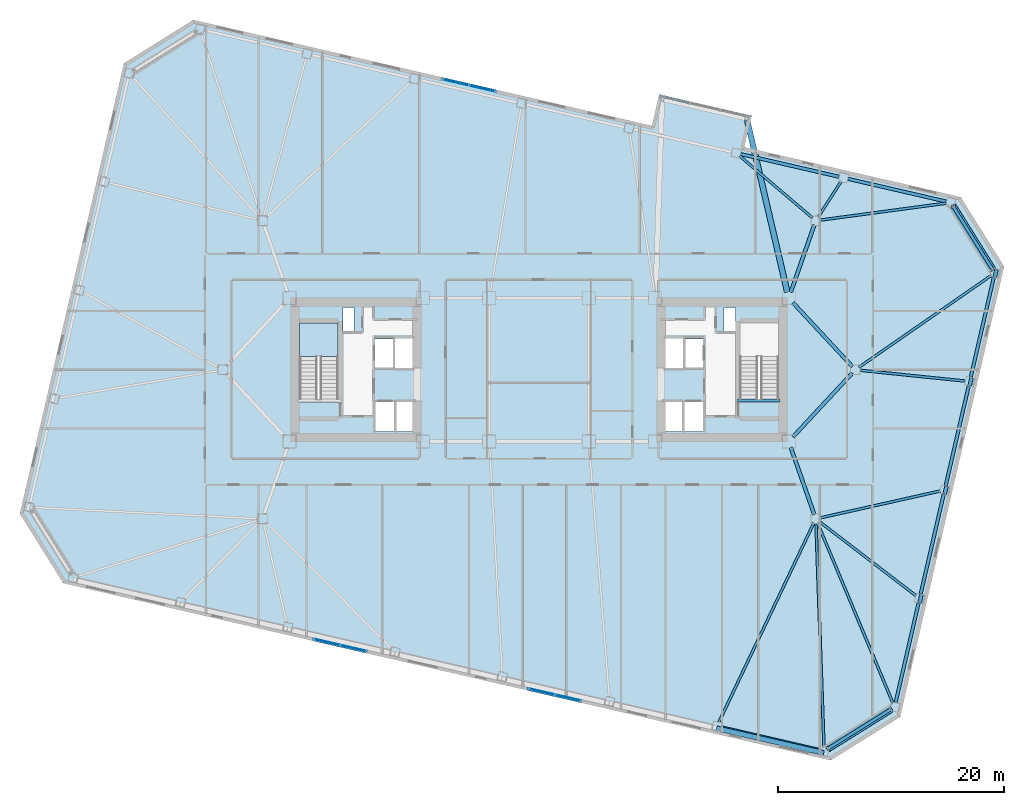
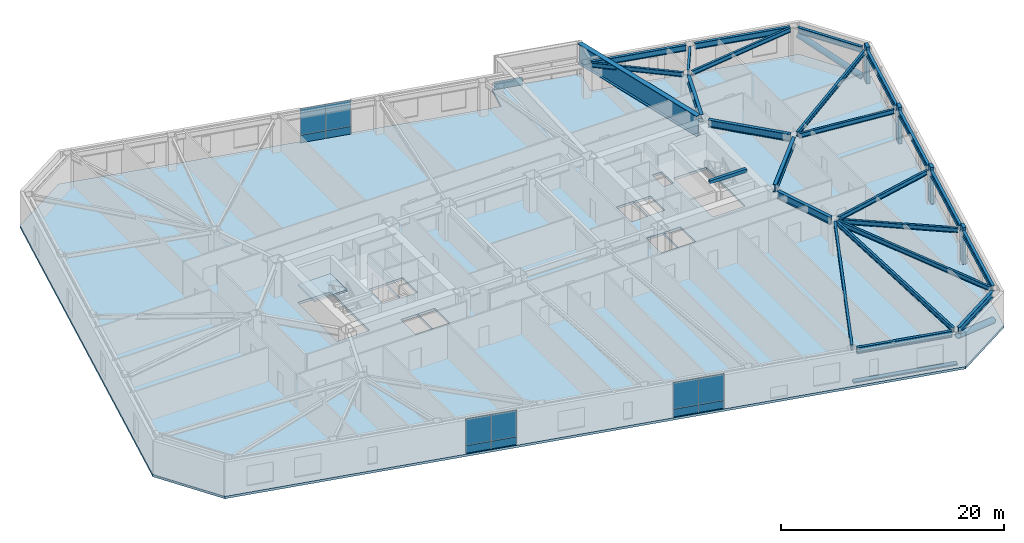
# One storey, part 11 of 23: 25 beams, 13 plates, 7 members, 2 slabs, 5 elements without a shape of their own.
"""IFC4 building model written with IfcOpenShell, lengths in metres."""

from ifc_helpers import new_model, si_unit, direction, frame, origin, origin_2d, place, context, subcontext, project, spatial, polyline, rectangle, hollow_circle, i_section, outline, extrude, material, layer, layer_set, material_profile, profile_set, type_object, element, aggregate, save


model = new_model("IFC4")

# Units and contexts
model_context = context("Model", 3, precision=1e-05, world=origin(), true_north=direction((0.0, 1.0)))
body_context = subcontext(model_context, "Body", "Model", "MODEL_VIEW")
ifc_project = project(units=[si_unit("LENGTHUNIT", "METRE"), si_unit("AREAUNIT", "SQUARE_METRE"), si_unit("VOLUMEUNIT", "CUBIC_METRE"), si_unit("PLANEANGLEUNIT", "RADIAN"), si_unit("MASSUNIT", "GRAM", prefix="KILO")], contexts=[model_context])

# Site, building, storey
site_placement = place(None, origin())
site = spatial("IfcSite", under=ifc_project, at=site_placement, CompositionType="ELEMENT")
building_placement = place(site_placement, origin())
building = spatial("IfcBuilding", under=site, at=building_placement, Name="Tavrogorsk Clinical Tower", CompositionType="ELEMENT")
storey_placement = place(building_placement, frame((0.0, 0.0, 63.39990234375)))
storey = spatial("IfcBuildingStorey", under=building, at=storey_placement, Name="L13", CompositionType="ELEMENT", Elevation=63.39990234375)

# Members
ifc_material_1 = material(Name="Anodised aluminium alloy AW-6063", Category="aluminium")
ifc_material_profile_1 = material_profile(ifc_material_1, rectangle(XDim=0.449951171875, YDim=0.1201171875, at=origin_2d()), Name="ALU-SUNSHADE-450x120")
ifc_profile_set_1 = profile_set([ifc_material_profile_1], Name="Anodised aluminium alloy AW-6063")
member_type_1 = type_object("IfcMemberType", Name="ChicagoSunshade_450x120", PredefinedType="USERDEFINED", material=ifc_profile_set_1)
member_placement = place(storey_placement, frame((15.700439453125, -31.739013671875, 0.18017578125), z_axis=(0.97437219846, -0.224941812182, 0.0), x_axis=(0.224941812182, 0.97437219846, 0.0)))
element("IfcMember", 1, at=member_placement, inside=storey, type_object=member_type_1, Name="L13 South Aluminium Sunshade S7", ObjectType="SUNSHADE", PredefinedType="USERDEFINED", context=body_context, shape_type="SweptSolid", body=[
    extrude(rectangle(XDim=0.449951171875, YDim=0.1201171875, at=origin_2d()), origin(), (0.0, 0.0, 1.0), 9.74853515625),
])
ifc_material_2 = material(Name="Structural steel S440", Category="steel")
ifc_material_profile_2 = material_profile(ifc_material_2, hollow_circle(Radius=0.304931640625, WallThickness=0.02490234375, at=origin_2d()), Name="CHS-610x25")
ifc_profile_set_2 = profile_set([ifc_material_profile_2], Name="Structural steel S440")
member_type_2 = type_object("IfcMemberType", Name="ExoBrace_CHS610", PredefinedType="BRACE", material=ifc_profile_set_2)
for number, where, z_axis, x_axis, name in (
    (2, (31.15185546875, -30.062255859375, 0.442626953125), (-0.794678685861, -0.496570017703, 0.349147538667), (0.529919005048, -0.848048258113, 0.0), "L13 Corner Exoskeleton Brace S8-E1"),
    (3, (40.145751953125, 8.893798828125, 0.442626953125), (-0.496596175948, 0.794664984625, 0.349141518935), (-0.848031606927, -0.529945651603, 0.0), "L13 Corner Exoskeleton Brace E5-N1"),
):
    element("IfcMember", number, at=place(storey_placement, frame(where, z_axis=z_axis, x_axis=x_axis)), inside=storey, type_object=member_type_2, Name=name, PredefinedType="BRACE", context=body_context, shape_type="SweptSolid", body=[
        extrude(hollow_circle(Radius=0.304931640625, WallThickness=0.02490234375, at=origin_2d()), origin(), (0.0, 0.0, 1.0), 7.03173828125),
    ])

# Beams
ifc_material_3 = material(Name="Structural steel S355", Category="steel")
ifc_material_profile_3 = material_profile(ifc_material_3, i_section(OverallWidth=0.219970703125, OverallDepth=0.5, WebThickness=0.012939453125, FlangeThickness=0.02001953125, at=origin_2d()), Name="B-500x220x13x20")
ifc_profile_set_3 = profile_set([ifc_material_profile_3], Name="Structural steel S355")
beam_type_1 = type_object("IfcBeamType", Name="FloorBeam_B500", PredefinedType="BEAM", material=ifc_profile_set_3)
beam_1_placement = place(storey_placement, frame((24.323486328125, -13.570068359375, 3.489990234375), z_axis=(-0.430503237889, -0.90258903282, 0.0), x_axis=(0.90258903282, -0.430503237889, 0.0)))
element("IfcBeam", 4, at=beam_1_placement, inside=storey, type_object=beam_type_1, Name="L13 Radial Floor Beam S7", PredefinedType="BEAM", context=body_context, shape_type="SweptSolid", body=[
    extrude(i_section(OverallWidth=0.219970703125, OverallDepth=0.5, WebThickness=0.012939453125, FlangeThickness=0.02001953125, at=origin_2d()), origin(), (0.0, 0.0, 1.0), 19.527587890625),
])
beam_2_placement = place(storey_placement, frame((24.5146484375, -13.609619140625, 3.489990234375), z_axis=(0.035968399295, -0.999352927775, 0.0), x_axis=(0.999352927775, 0.035968399295, 0.0)))
element("IfcBeam", 5, at=beam_2_placement, inside=storey, type_object=beam_type_1, Name="L13 Radial Floor Beam S8", PredefinedType="BEAM", context=body_context, shape_type="SweptSolid", body=[
    extrude(i_section(OverallWidth=0.219970703125, OverallDepth=0.5, WebThickness=0.012939453125, FlangeThickness=0.02001953125, at=origin_2d()), origin(), (0.0, 0.0, 1.0), 19.751953125),
])
beam_3_placement = place(storey_placement, frame((24.90625, 13.254638671875, 3.489990234375), z_axis=(0.991091561022, 0.133182272357, 0.0), x_axis=(-0.133182272357, 0.991091561022, 0.0)))
element("IfcBeam", 6, at=beam_3_placement, inside=storey, type_object=beam_type_1, Name="L13 Radial Floor Beam N1", PredefinedType="BEAM", context=body_context, shape_type="SweptSolid", body=[
    extrude(i_section(OverallWidth=0.219970703125, OverallDepth=0.5, WebThickness=0.012939453125, FlangeThickness=0.02001953125, at=origin_2d()), origin(), (0.0, 0.0, 1.0), 11.24072265625),
])
beam_4_placement = place(storey_placement, frame((24.722412109375, 13.54443359375, 3.489990234375), z_axis=(0.54237908978, 0.840133872052, 0.0), x_axis=(-0.840133872052, 0.54237908978, 0.0)))
element("IfcBeam", 7, at=beam_4_placement, inside=storey, type_object=beam_type_1, Name="L13 Radial Floor Beam N2", PredefinedType="BEAM", context=body_context, shape_type="SweptSolid", body=[
    extrude(i_section(OverallWidth=0.219970703125, OverallDepth=0.5, WebThickness=0.012939453125, FlangeThickness=0.02001953125, at=origin_2d()), origin(), (0.0, 0.0, 1.0), 3.70361328125),
])
beam_5_placement = place(storey_placement, frame((24.187744140625, 13.465576171875, 3.489990234375), z_axis=(-0.761805700094, 0.647805584496, 0.0), x_axis=(-0.647805584496, -0.761805700094, 0.0)))
element("IfcBeam", 8, at=beam_5_placement, inside=storey, type_object=beam_type_1, Name="L13 Radial Floor Beam N3", PredefinedType="BEAM", context=body_context, shape_type="SweptSolid", body=[
    extrude(i_section(OverallWidth=0.219970703125, OverallDepth=0.5, WebThickness=0.012939453125, FlangeThickness=0.02001953125, at=origin_2d()), origin(), (0.0, 0.0, 1.0), 8.431396484375),
])
beam_6_placement = place(storey_placement, frame((24.658447265625, -13.578125, 3.489990234375), z_axis=(0.386243430459, -0.922396884441, 0.0), x_axis=(0.922396884441, 0.386243430459, 0.0)))
element("IfcBeam", 9, at=beam_6_placement, inside=storey, type_object=beam_type_1, Name="L13 Radial Floor Beam E1", PredefinedType="BEAM", context=body_context, shape_type="SweptSolid", body=[
    extrude(i_section(OverallWidth=0.219970703125, OverallDepth=0.5, WebThickness=0.012939453125, FlangeThickness=0.02001953125, at=origin_2d()), origin(), (0.0, 0.0, 1.0), 17.243408203125),
])
beam_7_placement = place(storey_placement, frame((24.825439453125, -13.449462890625, 3.489990234375), z_axis=(0.7934457884, -0.608640929342, 0.0), x_axis=(0.608640929342, 0.7934457884, 0.0)))
element("IfcBeam", 10, at=beam_7_placement, inside=storey, type_object=beam_type_1, Name="L13 Radial Floor Beam E2", PredefinedType="BEAM", context=body_context, shape_type="SweptSolid", body=[
    extrude(i_section(OverallWidth=0.219970703125, OverallDepth=0.5, WebThickness=0.012939453125, FlangeThickness=0.02001953125, at=origin_2d()), origin(), (0.0, 0.0, 1.0), 10.769287109375),
])
beam_8_placement = place(storey_placement, frame((24.900146484375, -13.1103515625, 3.489990234375), z_axis=(0.975844140255, 0.218467878484, 0.0), x_axis=(-0.218467878484, 0.975844140255, 0.0)))
element("IfcBeam", 11, at=beam_8_placement, inside=storey, type_object=beam_type_1, Name="L13 Radial Floor Beam E3", PredefinedType="BEAM", context=body_context, shape_type="SweptSolid", body=[
    extrude(i_section(OverallWidth=0.219970703125, OverallDepth=0.5, WebThickness=0.012939453125, FlangeThickness=0.02001953125, at=origin_2d()), origin(), (0.0, 0.0, 1.0), 10.876708984375),
])
beam_9_placement = place(storey_placement, frame((28.407958984375, -0.041748046875, 3.489990234375), z_axis=(0.994791610226, -0.101929643501, 0.0), x_axis=(0.101929643501, 0.994791610226, 0.0)))
element("IfcBeam", 12, at=beam_9_placement, inside=storey, type_object=beam_type_1, Name="L13 Radial Floor Beam E4", PredefinedType="BEAM", context=body_context, shape_type="SweptSolid", body=[
    extrude(i_section(OverallWidth=0.219970703125, OverallDepth=0.5, WebThickness=0.012939453125, FlangeThickness=0.02001953125, at=origin_2d()), origin(), (0.0, 0.0, 1.0), 9.365234375),
])
beam_10_placement = place(storey_placement, frame((28.3369140625, 0.233642578125, 3.489990234375), z_axis=(0.82154295725, 0.570146620961, 0.0), x_axis=(-0.570146620961, 0.82154295725, 0.0)))
element("IfcBeam", 13, at=beam_10_placement, inside=storey, type_object=beam_type_1, Name="L13 Radial Floor Beam E5", PredefinedType="BEAM", context=body_context, shape_type="SweptSolid", body=[
    extrude(i_section(OverallWidth=0.219970703125, OverallDepth=0.5, WebThickness=0.012939453125, FlangeThickness=0.02001953125, at=origin_2d()), origin(), (0.0, 0.0, 1.0), 14.212646484375),
])

# Members
ifc_material_4 = material(Name="Precast concrete B45 with limestone cladding", Category="masonry")
ifc_material_profile_4 = material_profile(ifc_material_4, rectangle(XDim=0.320068359375, YDim=0.719970703125, at=origin_2d()), Name="LIMESTONE-FIN-320x720")
ifc_profile_set_4 = profile_set([ifc_material_profile_4], Name="Precast concrete B45 with limestone cladding")
member_type_3 = type_object("IfcMemberType", Name="LimestonePleatFin_320x720", PredefinedType="USERDEFINED", material=ifc_profile_set_4)
for number, where, z_axis, x_axis, name in (
    (14, (33.772216796875, -20.2705078125, 0.0), (0.0, 0.0, 1.0), (0.974370064785, -0.224951054344, 0.0), "L13 E Pleated Stone Fin 1"),
    (15, (35.990234375, -10.6630859375, 0.0), (0.0, 0.0, 1.0), (0.974370064785, -0.224951054344, 0.0), "L13 E Pleated Stone Fin 2"),
    (16, (38.208251953125, -1.055908203125, 0.0), (0.0, 0.0, 1.0), (0.974370064785, -0.224951054344, 0.0), "L13 E Pleated Stone Fin 3"),
    (17, (40.42626953125, 8.551513671875, 0.0), (0.0, 0.0, 1.0), (0.974370064785, -0.224951054344, 0.0), "L13 E Pleated Stone Fin 4"),
):
    element("IfcMember", number, at=place(storey_placement, frame(where, z_axis=z_axis, x_axis=x_axis)), inside=storey, type_object=member_type_3, Name=name, ObjectType="FIN", PredefinedType="USERDEFINED", context=body_context, shape_type="SweptSolid", body=[
        extrude(rectangle(XDim=0.320068359375, YDim=0.719970703125, at=origin_2d()), origin(), (0.0, 0.0, 1.0), 4.0),
    ])

# Beams
ifc_material_5 = material(Name="Structural steel S390", Category="steel")
ifc_material_profile_5 = material_profile(ifc_material_5, i_section(OverallWidth=0.320068359375, OverallDepth=0.800048828125, WebThickness=0.02001953125, FlangeThickness=0.033935546875, at=origin_2d()), Name="B-800x320x20x34")
ifc_profile_set_5 = profile_set([ifc_material_profile_5], Name="Structural steel S390")
beam_type_2 = type_object("IfcBeamType", Name="PrimaryGirder_B800", PredefinedType="USERDEFINED", material=ifc_profile_set_5)
for number, where, z_axis, x_axis, name in (
    (18, (24.364501953125, -12.81298828125, 3.340087890625), (-0.330668611543, 0.943746930771, 0.0), (-0.943746930771, -0.330668611543, 0.0), "L13 Spine Link Girder OPG-2"),
    (19, (24.364501953125, 12.81298828125, 3.340087890625), (-0.330668611543, -0.943746930771, 0.0), (0.943746930771, -0.330668611543, 0.0), "L13 Spine Link Girder OPG-4"),
):
    element("IfcBeam", number, at=place(storey_placement, frame(where, z_axis=z_axis, x_axis=x_axis)), inside=storey, type_object=beam_type_2, Name=name, ObjectType="GIRDER", PredefinedType="USERDEFINED", context=body_context, shape_type="SweptSolid", body=[
        extrude(i_section(OverallWidth=0.320068359375, OverallDepth=0.800048828125, WebThickness=0.02001953125, FlangeThickness=0.033935546875, at=origin_2d()), origin(), (0.0, 0.0, 1.0), 6.288330078125),
    ])
for number, where, z_axis, x_axis, name in (
    (20, (27.720947265625, -0.30029296875, 3.340087890625), (-0.680671250221, -0.732589004233, 0.0), (0.732589004233, -0.680671250221, 0.0), "L13 Spine Link Girder OPG-7"),
    (21, (27.720947265625, 0.30029296875, 3.340087890625), (-0.680671250221, 0.732589004233, 0.0), (-0.732589004233, -0.680671250221, 0.0), "L13 Spine Link Girder OPG-8"),
):
    element("IfcBeam", number, at=place(storey_placement, frame(where, z_axis=z_axis, x_axis=x_axis)), inside=storey, type_object=beam_type_2, Name=name, ObjectType="GIRDER", PredefinedType="USERDEFINED", context=body_context, shape_type="SweptSolid", body=[
        extrude(i_section(OverallWidth=0.320068359375, OverallDepth=0.800048828125, WebThickness=0.02001953125, FlangeThickness=0.033935546875, at=origin_2d()), origin(), (0.0, 0.0, 1.0), 7.697998046875),
    ])
ifc_material_6 = material(Name="Structural steel S390", Category="steel")
ifc_material_profile_6 = material_profile(ifc_material_6, i_section(OverallWidth=0.280029296875, OverallDepth=0.64990234375, WebThickness=0.01611328125, FlangeThickness=0.02490234375, at=origin_2d()), Name="B-650x280x16x25")
ifc_profile_set_6 = profile_set([ifc_material_profile_6], Name="Structural steel S390")
beam_type_3 = type_object("IfcBeamType", Name="SpandrelBeam_B650", PredefinedType="SPANDREL", material=ifc_profile_set_6)
beam_11_placement = place(storey_placement, frame((16.138427734375, -31.655517578125, 3.4150390625), z_axis=(0.974372766602, -0.224939351168, 0.0), x_axis=(0.224939351168, 0.974372766602, 0.0)))
element("IfcBeam", 22, at=beam_11_placement, inside=storey, type_object=beam_type_3, Name="L13 Perimeter Spandrel S7-S8", PredefinedType="SPANDREL", context=body_context, shape_type="SweptSolid", body=[
    extrude(i_section(OverallWidth=0.280029296875, OverallDepth=0.64990234375, WebThickness=0.01611328125, FlangeThickness=0.02490234375, at=origin_2d()), origin(), (0.0, 0.0, 1.0), 8.9326171875),
])
beam_12_placement = place(storey_placement, frame((25.585693359375, -33.540283203125, 3.4150390625), z_axis=(0.848061235793, 0.529898235839, 0.0), x_axis=(-0.529898235839, 0.848061235793, 0.0)))
element("IfcBeam", 23, at=beam_12_placement, inside=storey, type_object=beam_type_3, Name="L13 Perimeter Spandrel S8-E1", PredefinedType="SPANDREL", context=body_context, shape_type="SweptSolid", body=[
    extrude(i_section(OverallWidth=0.280029296875, OverallDepth=0.64990234375, WebThickness=0.01611328125, FlangeThickness=0.02490234375, at=origin_2d()), origin(), (0.0, 0.0, 1.0), 6.537841796875),
])
beam_13_placement = place(storey_placement, frame((31.56787109375, -29.462158203125, 3.4150390625), z_axis=(0.224971881043, 0.974365256328, 0.0), x_axis=(-0.974365256328, 0.224971881043, 0.0)))
element("IfcBeam", 24, at=beam_13_placement, inside=storey, type_object=beam_type_3, Name="L13 Perimeter Spandrel E1-E2", PredefinedType="SPANDREL", context=body_context, shape_type="SweptSolid", body=[
    extrude(i_section(OverallWidth=0.280029296875, OverallDepth=0.64990234375, WebThickness=0.01611328125, FlangeThickness=0.02490234375, at=origin_2d()), origin(), (0.0, 0.0, 1.0), 9.044189453125),
])
for number, where, z_axis, x_axis, name in (
    (25, (33.785888671875, -19.85498046875, 3.4150390625), (0.224946252597, 0.974371173343, 0.0), (-0.974371173343, 0.224946252597, 0.0), "L13 Perimeter Spandrel E2-E3"),
    (26, (36.00390625, -10.24755859375, 3.4150390625), (0.224946252597, 0.974371173343, 0.0), (-0.974371173343, 0.224946252597, 0.0), "L13 Perimeter Spandrel E3-E4"),
):
    element("IfcBeam", number, at=place(storey_placement, frame(where, z_axis=z_axis, x_axis=x_axis)), inside=storey, type_object=beam_type_3, Name=name, PredefinedType="SPANDREL", context=body_context, shape_type="SweptSolid", body=[
        extrude(i_section(OverallWidth=0.280029296875, OverallDepth=0.64990234375, WebThickness=0.01611328125, FlangeThickness=0.02490234375, at=origin_2d()), origin(), (0.0, 0.0, 1.0), 9.0439453125),
    ])
beam_14_placement = place(storey_placement, frame((38.221923828125, -0.640380859375, 3.4150390625), z_axis=(0.224971881043, 0.974365256328, 0.0), x_axis=(-0.974365256328, 0.224971881043, 0.0)))
element("IfcBeam", 27, at=beam_14_placement, inside=storey, type_object=beam_type_3, Name="L13 Perimeter Spandrel E4-E5", PredefinedType="SPANDREL", context=body_context, shape_type="SweptSolid", body=[
    extrude(i_section(OverallWidth=0.280029296875, OverallDepth=0.64990234375, WebThickness=0.01611328125, FlangeThickness=0.02490234375, at=origin_2d()), origin(), (0.0, 0.0, 1.0), 9.044189453125),
])
beam_15_placement = place(storey_placement, frame((40.132080078125, 8.91552734375, 3.4150390625), z_axis=(-0.529925092475, 0.848044454239, 0.0), x_axis=(-0.848044454239, -0.529925092475, 0.0)))
element("IfcBeam", 28, at=beam_15_placement, inside=storey, type_object=beam_type_3, Name="L13 Perimeter Spandrel E5-N1", PredefinedType="SPANDREL", context=body_context, shape_type="SweptSolid", body=[
    extrude(i_section(OverallWidth=0.280029296875, OverallDepth=0.64990234375, WebThickness=0.01611328125, FlangeThickness=0.02490234375, at=origin_2d()), origin(), (0.0, 0.0, 1.0), 6.537841796875),
])
for number, where, z_axis, x_axis, name in (
    (29, (36.0537109375, 14.897705078125, 3.4150390625), (-0.974366775889, 0.224965299645, 0.0), (-0.224965299645, -0.974366775889, 0.0), "L13 Perimeter Spandrel N1-N2"),
    (30, (26.554931640625, 17.090576171875, 3.4150390625), (-0.974366775889, 0.224965299645, 0.0), (-0.224965299645, -0.974366775889, 0.0), "L13 Perimeter Spandrel N2-N3"),
):
    element("IfcBeam", number, at=place(storey_placement, frame(where, z_axis=z_axis, x_axis=x_axis)), inside=storey, type_object=beam_type_3, Name=name, PredefinedType="SPANDREL", context=body_context, shape_type="SweptSolid", body=[
        extrude(i_section(OverallWidth=0.280029296875, OverallDepth=0.64990234375, WebThickness=0.01611328125, FlangeThickness=0.02490234375, at=origin_2d()), origin(), (0.0, 0.0, 1.0), 8.9326171875),
    ])
ifc_material_7 = material(Name="Concrete B60", Category="concrete")
ifc_material_profile_7 = material_profile(ifc_material_7, rectangle(XDim=0.300048828125, YDim=0.35009765625, at=origin_2d()), Name="RC-SHB-300x350")
ifc_profile_set_7 = profile_set([ifc_material_profile_7], Name="Concrete B60")
beam_type_4 = type_object("IfcBeamType", Name="StairHeaderBeam_RC300x350", PredefinedType="BEAM", material=ifc_profile_set_7)
beam_16_placement = place(storey_placement, frame((17.550048828125, -2.719970703125, 3.8251953125), z_axis=(1.0, 0.0, 0.0), x_axis=(0.0, 1.0, 0.0)))
element("IfcBeam", 31, at=beam_16_placement, inside=storey, type_object=beam_type_4, Name="L14 ST-E Landing Header Beam", PredefinedType="BEAM", context=body_context, shape_type="SweptSolid", body=[
    extrude(rectangle(XDim=0.300048828125, YDim=0.35009765625, at=origin_2d()), origin(), (0.0, 0.0, 1.0), 3.800048828125),
])
ifc_material_8 = material(Name="Structural steel S440", Category="steel")
ifc_material_profile_8 = material_profile(ifc_material_8, i_section(OverallWidth=0.5, OverallDepth=2.199951171875, WebThickness=0.035888671875, FlangeThickness=0.054931640625, at=origin_2d()), Name="DK-2200x500x36x55")
ifc_profile_set_8 = profile_set([ifc_material_profile_8], Name="Structural steel S440")
beam_type_5 = type_object("IfcBeamType", Name="TransferGirder_DK2200", PredefinedType="USERDEFINED", material=ifc_profile_set_8)
beam_17_placement = place(storey_placement, frame((21.97265625, 6.895263671875, 2.64013671875), z_axis=(-0.227339821684, 0.973815488415, 0.0), x_axis=(-0.973815488415, -0.227339821684, 0.0)))
element("IfcBeam", 32, at=beam_17_placement, inside=storey, type_object=beam_type_5, Name="L13 Day-Room Cantilever Beam DRB-02-R", ObjectType="GIRDER", PredefinedType="USERDEFINED", context=body_context, shape_type="SweptSolid", body=[
    extrude(i_section(OverallWidth=0.5, OverallDepth=2.199951171875, WebThickness=0.035888671875, FlangeThickness=0.054931640625, at=origin_2d()), origin(), (0.0, 0.0, 1.0), 15.61669921875),
])

# Curtain wall, plates
ifc_material_9 = material(Name="Anodised aluminium and triple IGU glazing", Category="aluminium")
ifc_layer_1 = layer(ifc_material_9, 0.179931640625)
ifc_layer_set_1 = layer_set([ifc_layer_1], Name="Anodised aluminium and triple IGU glazing")
curtain_wall_type_1 = type_object("IfcCurtainWallType", Name="CW3_SouthSlot", PredefinedType="NOTDEFINED", material=ifc_layer_set_1)
curtain_wall_1_placement = place(storey_placement, origin())
curtain_wall_1 = element("IfcCurtainWall", 33, at=curtain_wall_1_placement, inside=storey, type_object=curtain_wall_type_1, Name="L13 Curtain Wall CW-L13-S-SLOT-1", PredefinedType="NOTDEFINED")
ifc_material_10 = material(Name="Honed Podolsk limestone spandrel panel", Category="masonry")
ifc_layer_2 = layer(ifc_material_10, 0.080078125)
ifc_layer_set_2 = layer_set([ifc_layer_2], Name="Honed Podolsk limestone spandrel panel")
plate_type_1 = type_object("IfcPlateType", Name="CwSpandrelStonePanel_80", PredefinedType="CURTAIN_PANEL", material=ifc_layer_set_2)
plate_1_placement = place(storey_placement, frame((-18.79638671875, -24.113525390625, 0.002197265625), z_axis=(0.0, 0.0, 1.0), x_axis=(0.974370046851, -0.224951132027, 0.0)))
plate_1 = element("IfcPlate", 34, at=plate_1_placement, type_object=plate_type_1, Name="CW-L13-S-SLOT-1 Stone Spandrel Panel 1", PredefinedType="CURTAIN_PANEL", context=body_context, shape_type="SweptSolid", body=[
    extrude(rectangle(XDim=2.39208984375, YDim=0.080078125, at=origin_2d()), origin(), (0.0, 0.0, 1.0), 0.8359375),
])
plate_2_placement = place(storey_placement, frame((-16.442138671875, -24.656982421875, 0.002197265625), z_axis=(0.0, 0.0, 1.0), x_axis=(0.974370046851, -0.224951132027, 0.0)))
plate_2 = element("IfcPlate", 35, at=plate_2_placement, type_object=plate_type_1, Name="CW-L13-S-SLOT-1 Stone Spandrel Panel 2", PredefinedType="CURTAIN_PANEL", context=body_context, shape_type="SweptSolid", body=[
    extrude(rectangle(XDim=2.39208984375, YDim=0.080078125, at=origin_2d()), origin(), (0.0, 0.0, 1.0), 0.8359375),
])

curtain_wall_2_placement = place(storey_placement, origin())
curtain_wall_2 = element("IfcCurtainWall", 36, at=curtain_wall_2_placement, inside=storey, type_object=curtain_wall_type_1, Name="L13 Curtain Wall CW-L13-S-SLOT-2", PredefinedType="NOTDEFINED")
plate_3_placement = place(storey_placement, frame((0.201171875, -28.49951171875, 0.002197265625), z_axis=(0.0, 0.0, 1.0), x_axis=(0.974370102963, -0.224950888978, 0.0)))
plate_3 = element("IfcPlate", 37, at=plate_3_placement, type_object=plate_type_1, Name="CW-L13-S-SLOT-2 Stone Spandrel Panel 1", PredefinedType="CURTAIN_PANEL", context=body_context, shape_type="SweptSolid", body=[
    extrude(rectangle(XDim=2.39208984375, YDim=0.080078125, at=origin_2d()), origin(), (0.0, 0.0, 1.0), 0.8359375),
])
plate_4_placement = place(storey_placement, frame((2.55517578125, -29.04296875, 0.002197265625), z_axis=(0.0, 0.0, 1.0), x_axis=(0.974370102963, -0.224950888978, 0.0)))
plate_4 = element("IfcPlate", 38, at=plate_4_placement, type_object=plate_type_1, Name="CW-L13-S-SLOT-2 Stone Spandrel Panel 2", PredefinedType="CURTAIN_PANEL", context=body_context, shape_type="SweptSolid", body=[
    extrude(rectangle(XDim=2.39208984375, YDim=0.080078125, at=origin_2d()), origin(), (0.0, 0.0, 1.0), 0.8359375),
])

ifc_material_11 = material(Name="Anodised aluminium and triple IGU glazing", Category="aluminium")
ifc_layer_3 = layer(ifc_material_11, 0.179931640625)
ifc_layer_set_3 = layer_set([ifc_layer_3], Name="Anodised aluminium and triple IGU glazing")
curtain_wall_type_2 = type_object("IfcCurtainWallType", Name="CW2_NorthSlot", PredefinedType="NOTDEFINED", material=ifc_layer_set_3)
curtain_wall_3_placement = place(storey_placement, origin())
curtain_wall_3 = element("IfcCurtainWall", 39, at=curtain_wall_3_placement, inside=storey, type_object=curtain_wall_type_2, Name="L13 Curtain Wall CW-L13-N-SLOT-1", PredefinedType="NOTDEFINED")
plate_5_placement = place(storey_placement, frame((-5.001220703125, 24.8994140625, 0.002197265625), z_axis=(0.0, 0.0, 1.0), x_axis=(-0.974370102963, 0.224950888978, 0.0)))
plate_5 = element("IfcPlate", 40, at=plate_5_placement, type_object=plate_type_1, Name="CW-L13-N-SLOT-1 Stone Spandrel Panel 1", PredefinedType="CURTAIN_PANEL", context=body_context, shape_type="SweptSolid", body=[
    extrude(rectangle(XDim=2.39208984375, YDim=0.080078125, at=origin_2d()), origin(), (0.0, 0.0, 1.0), 0.8359375),
])
plate_6_placement = place(storey_placement, frame((-7.355224609375, 25.44287109375, 0.002197265625), z_axis=(0.0, 0.0, 1.0), x_axis=(-0.974370102963, 0.224950888978, 0.0)))
plate_6 = element("IfcPlate", 41, at=plate_6_placement, type_object=plate_type_1, Name="CW-L13-N-SLOT-1 Stone Spandrel Panel 2", PredefinedType="CURTAIN_PANEL", context=body_context, shape_type="SweptSolid", body=[
    extrude(rectangle(XDim=2.39208984375, YDim=0.080078125, at=origin_2d()), origin(), (0.0, 0.0, 1.0), 0.8359375),
])

# Curtain wall, plate
ifc_material_12 = material(Name="Anodised aluminium and triple IGU glazing", Category="aluminium")
ifc_layer_4 = layer(ifc_material_12, 0.179931640625)
ifc_layer_set_4 = layer_set([ifc_layer_4], Name="Anodised aluminium and triple IGU glazing")
curtain_wall_type_3 = type_object("IfcCurtainWallType", Name="CW4_DayroomBox", PredefinedType="NOTDEFINED", material=ifc_layer_set_4)
curtain_wall_4_placement = place(storey_placement, origin())
curtain_wall_4 = element("IfcCurtainWall", 42, at=curtain_wall_4_placement, inside=storey, type_object=curtain_wall_type_3, Name="L13 Curtain Wall CW-DRB-02-L13", PredefinedType="NOTDEFINED")
plate_7_placement = place(storey_placement, frame((12.047607421875, 23.908935546875, 0.002197265625), z_axis=(0.0, 0.0, 1.0), x_axis=(0.974370049065, -0.224951122436, 0.0)))
plate_7 = element("IfcPlate", 43, at=plate_7_placement, type_object=plate_type_1, Name="CW-DRB-02-L13 Stone Spandrel Panel 1", PredefinedType="CURTAIN_PANEL", context=body_context, shape_type="SweptSolid", body=[
    extrude(rectangle(XDim=2.68798828125, YDim=0.080078125, at=origin_2d()), origin(), (0.0, 0.0, 1.0), 0.8359375),
])
aggregate(curtain_wall_4, [plate_7])

# Plate
ifc_material_13 = material(Name="Triple low-E argon insulated glass", Category="glass")
ifc_layer_5 = layer(ifc_material_13, 0.048095703125)
ifc_layer_set_5 = layer_set([ifc_layer_5], Name="Triple low-E argon insulated glass")
plate_type_2 = type_object("IfcPlateType", Name="CwVisionGlassPanel_48", PredefinedType="CURTAIN_PANEL", material=ifc_layer_set_5)
plate_8_placement = place(storey_placement, frame((-18.79638671875, -24.113525390625, 0.862060546875), z_axis=(0.0, 0.0, 1.0), x_axis=(0.974370046851, -0.224951132027, 0.0)))
plate_8 = element("IfcPlate", 44, at=plate_8_placement, type_object=plate_type_2, Name="CW-L13-S-SLOT-1 Glazing Panel 1", PredefinedType="CURTAIN_PANEL", context=body_context, shape_type="SweptSolid", body=[
    extrude(rectangle(XDim=2.39208984375, YDim=0.048095703125, at=origin_2d()), origin(), (0.0, 0.0, 1.0), 2.8759765625),
])

plate_9_placement = place(storey_placement, frame((-16.442138671875, -24.656982421875, 0.862060546875), z_axis=(0.0, 0.0, 1.0), x_axis=(0.974370046851, -0.224951132027, 0.0)))
plate_9 = element("IfcPlate", 45, at=plate_9_placement, type_object=plate_type_2, Name="CW-L13-S-SLOT-1 Glazing Panel 2", PredefinedType="CURTAIN_PANEL", context=body_context, shape_type="SweptSolid", body=[
    extrude(rectangle(XDim=2.39208984375, YDim=0.048095703125, at=origin_2d()), origin(), (0.0, 0.0, 1.0), 2.8759765625),
])

aggregate(curtain_wall_1, [plate_1, plate_8, plate_2, plate_9])

plate_10_placement = place(storey_placement, frame((0.201171875, -28.49951171875, 0.862060546875), z_axis=(0.0, 0.0, 1.0), x_axis=(0.974370102963, -0.224950888978, 0.0)))
plate_10 = element("IfcPlate", 46, at=plate_10_placement, type_object=plate_type_2, Name="CW-L13-S-SLOT-2 Glazing Panel 1", PredefinedType="CURTAIN_PANEL", context=body_context, shape_type="SweptSolid", body=[
    extrude(rectangle(XDim=2.39208984375, YDim=0.048095703125, at=origin_2d()), origin(), (0.0, 0.0, 1.0), 2.8759765625),
])

plate_11_placement = place(storey_placement, frame((2.55517578125, -29.04296875, 0.862060546875), z_axis=(0.0, 0.0, 1.0), x_axis=(0.974370102963, -0.224950888978, 0.0)))
plate_11 = element("IfcPlate", 47, at=plate_11_placement, type_object=plate_type_2, Name="CW-L13-S-SLOT-2 Glazing Panel 2", PredefinedType="CURTAIN_PANEL", context=body_context, shape_type="SweptSolid", body=[
    extrude(rectangle(XDim=2.39208984375, YDim=0.048095703125, at=origin_2d()), origin(), (0.0, 0.0, 1.0), 2.8759765625),
])

aggregate(curtain_wall_2, [plate_3, plate_10, plate_4, plate_11])

plate_12_placement = place(storey_placement, frame((-5.001220703125, 24.8994140625, 0.862060546875), z_axis=(0.0, 0.0, 1.0), x_axis=(-0.974370102963, 0.224950888978, 0.0)))
plate_12 = element("IfcPlate", 48, at=plate_12_placement, type_object=plate_type_2, Name="CW-L13-N-SLOT-1 Glazing Panel 1", PredefinedType="CURTAIN_PANEL", context=body_context, shape_type="SweptSolid", body=[
    extrude(rectangle(XDim=2.39208984375, YDim=0.048095703125, at=origin_2d()), origin(), (0.0, 0.0, 1.0), 2.8759765625),
])

plate_13_placement = place(storey_placement, frame((-7.355224609375, 25.44287109375, 0.862060546875), z_axis=(0.0, 0.0, 1.0), x_axis=(-0.974370102963, 0.224950888978, 0.0)))
plate_13 = element("IfcPlate", 49, at=plate_13_placement, type_object=plate_type_2, Name="CW-L13-N-SLOT-1 Glazing Panel 2", PredefinedType="CURTAIN_PANEL", context=body_context, shape_type="SweptSolid", body=[
    extrude(rectangle(XDim=2.39208984375, YDim=0.048095703125, at=origin_2d()), origin(), (0.0, 0.0, 1.0), 2.8759765625),
])

aggregate(curtain_wall_3, [plate_5, plate_12, plate_6, plate_13])

# Stair, slab
ifc_material_14 = material(Name="Concrete B60", Category="concrete")
stair_type = type_object("IfcStairType", Name="CoreStairAssembly", PredefinedType="HALF_TURN_STAIR", material=ifc_material_14)
stair_placement = place(storey_placement, origin())
stair = element("IfcStair", 50, at=stair_placement, inside=storey, type_object=stair_type, Name="L13 ST-W", PredefinedType="HALF_TURN_STAIR")
ifc_material_15 = material(Name="Concrete B60", Category="concrete")
ifc_layer_6 = layer(ifc_material_15, 0.199951171875)
ifc_layer_set_6 = layer_set([ifc_layer_6], Name="Concrete B60")
slab_type_1 = type_object("IfcSlabType", Name="StairLanding_200", PredefinedType="LANDING", material=ifc_layer_set_6)
slab_1_placement = place(storey_placement, frame((0.0, 0.0, 1.800048828125)))
slab_1 = element("IfcSlab", 51, at=slab_1_placement, type_object=slab_type_1, Name="ST-W landing 1", PredefinedType="LANDING", context=body_context, shape_type="SweptSolid", body=[
    extrude(outline(polyline([(-17.800048828125, 1.1650390625), (-17.800048828125, 4.125), (-21.199951171875, 4.125), (-21.199951171875, 1.1650390625), (-17.800048828125, 1.1650390625)])), origin(), (0.0, 0.0, 1.0), 0.199951171875),
])
aggregate(stair, [slab_1])

# Slab
ifc_material_16 = material(Name="Concrete B60", Category="concrete")
ifc_layer_7 = layer(ifc_material_16, 0.260009765625)
ifc_layer_set_7 = layer_set([ifc_layer_7], Name="Concrete B60")
slab_type_2 = type_object("IfcSlabType", Name="WardSlab_260", PredefinedType="FLOOR", material=ifc_layer_set_7)
slab_2_placement = place(storey_placement, frame((0.0, 0.0, -0.260009765625)))
element("IfcSlab", 52, at=slab_2_placement, inside=storey, type_object=slab_type_2, Name="L13 Structural Slab", PredefinedType="FLOOR", context=body_context, shape_type="SweptSolid", body=[
    extrude(outline(polyline([(37.266845703125, 15.315673828125), (41.163818359375, 9.0791015625), (31.98583984375, -30.67529296875), (25.749267578125, -34.572265625), (-42.06689453125, -18.91552734375), (-45.9638671875, -12.67919921875), (-36.785888671875, 27.0751953125), (-30.54931640625, 30.97216796875), (9.984619140625, 21.6142578125), (10.62548828125, 24.39111328125), (18.810302734375, 22.501708984375), (18.169189453125, 19.724609375), (37.266845703125, 15.315673828125)]), holes=[polyline([(-17.800048828125, -2.8798828125), (-17.800048828125, 4.125), (-21.199951171875, 4.125), (-21.199951171875, -2.8798828125), (-17.800048828125, -2.8798828125)]), polyline([(21.199951171875, -2.8798828125), (21.199951171875, 4.125), (17.800048828125, 4.125), (17.800048828125, -2.8798828125), (21.199951171875, -2.8798828125)]), polyline([(-14.6201171875, 0.169921875), (-12.860107421875, 0.169921875), (-12.860107421875, 2.72998046875), (-14.6201171875, 2.72998046875), (-14.6201171875, 0.169921875)]), polyline([(-14.530029296875, -5.47998046875), (-12.77001953125, -5.47998046875), (-12.77001953125, -2.820068359375), (-14.530029296875, -2.820068359375), (-14.530029296875, -5.47998046875)]), polyline([(-12.72998046875, -5.47998046875), (-10.969970703125, -5.47998046875), (-10.969970703125, -2.820068359375), (-12.72998046875, -2.820068359375), (-12.72998046875, -5.47998046875)]), polyline([(-12.840087890625, 0.1201171875), (-11.080078125, 0.1201171875), (-11.080078125, 2.780029296875), (-12.840087890625, 2.780029296875), (-12.840087890625, 0.1201171875)]), polyline([(12.860107421875, 0.169921875), (14.6201171875, 0.169921875), (14.6201171875, 2.72998046875), (12.860107421875, 2.72998046875), (12.860107421875, 0.169921875)]), polyline([(12.77001953125, -5.47998046875), (14.530029296875, -5.47998046875), (14.530029296875, -2.820068359375), (12.77001953125, -2.820068359375), (12.77001953125, -5.47998046875)]), polyline([(10.969970703125, -5.47998046875), (12.72998046875, -5.47998046875), (12.72998046875, -2.820068359375), (10.969970703125, -2.820068359375), (10.969970703125, -5.47998046875)]), polyline([(11.080078125, 0.1201171875), (12.840087890625, 0.1201171875), (12.840087890625, 2.780029296875), (11.080078125, 2.780029296875), (11.080078125, 0.1201171875)]), polyline([(-17.3798828125, 3.449951171875), (-16.3798828125, 3.449951171875), (-16.3798828125, 5.5), (-17.3798828125, 5.5), (-17.3798828125, 3.449951171875)]), polyline([(16.3798828125, 3.449951171875), (17.3798828125, 3.449951171875), (17.3798828125, 5.5), (16.3798828125, 5.5), (16.3798828125, 3.449951171875)])]), origin(), (0.0, 0.0, 1.0), 0.260009765625),
])

save(model, "model.ifc")
